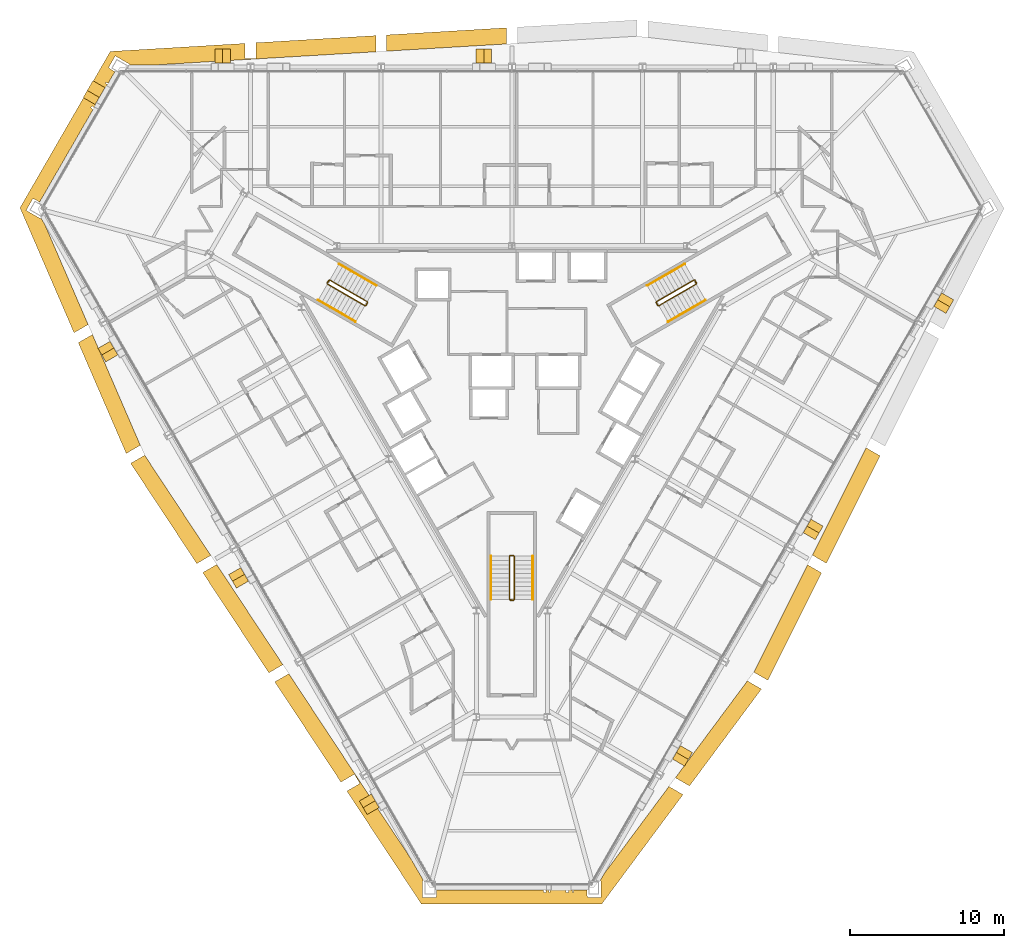
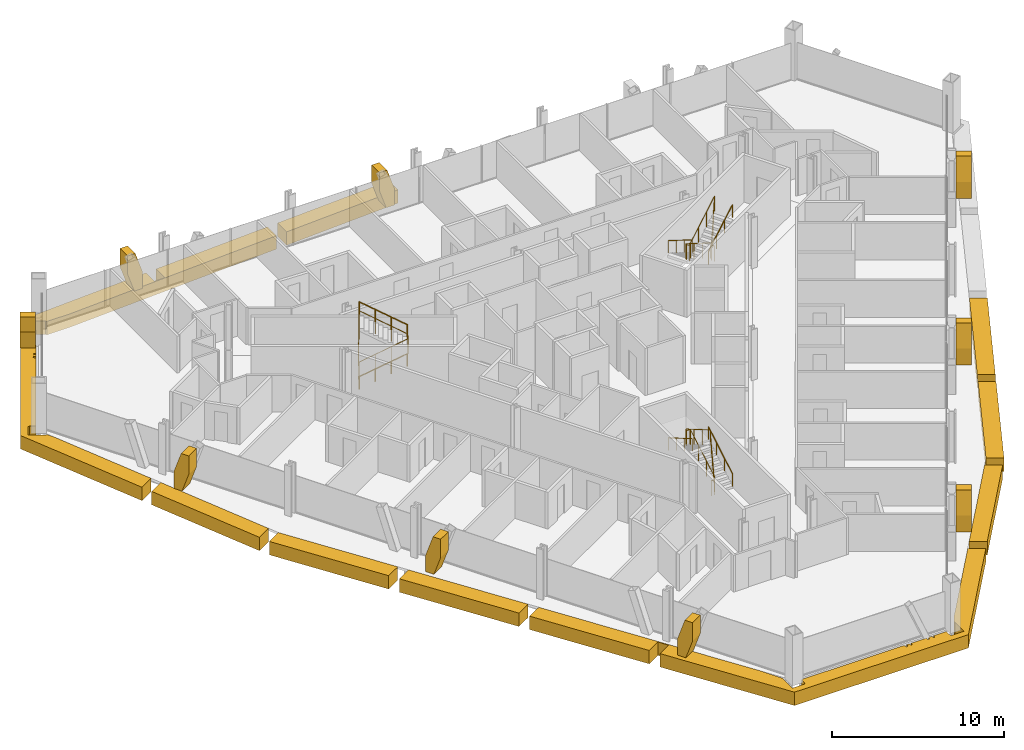
# One storey, part 16 of 17: 18 coverings, 9 railings.
"""IFC4 building model written with IfcOpenShell, lengths in metres."""

from ifc_helpers import new_model, si_unit, direction, frame, origin, origin_2d, place, context, subcontext, project, spatial, polyline, circle, outline, extrude, material, layer, layer_set, type_object, element, save


model = new_model("IFC4")

# Units and contexts
model_context = context("Model", 3, precision=1e-05, world=origin(), true_north=direction((0.0, 1.0)))
body_context = subcontext(model_context, "Body", "Model", "MODEL_VIEW")
ifc_project = project(units=[si_unit("LENGTHUNIT", "METRE"), si_unit("AREAUNIT", "SQUARE_METRE"), si_unit("VOLUMEUNIT", "CUBIC_METRE"), si_unit("PLANEANGLEUNIT", "RADIAN"), si_unit("MASSUNIT", "GRAM", prefix="KILO")], contexts=[model_context])

# Site, building, storey
site_placement = place(None, origin())
site = spatial("IfcSite", under=ifc_project, at=site_placement, CompositionType="ELEMENT")
building_placement = place(site_placement, origin())
building = spatial("IfcBuilding", under=site, at=building_placement, Name="Verrane Prism Tower", CompositionType="ELEMENT")
storey_placement = place(building_placement, frame((0.0, 0.0, 40.39990234375)))
storey = spatial("IfcBuildingStorey", under=building, at=storey_placement, Name="L07", CompositionType="ELEMENT", Elevation=40.39990234375)

# Railings
ifc_material_1 = material(Name="Steel A36 rail and posts, no infill", Category="steel")
railing_type_1 = type_object("IfcRailingType", Name="Stair guard 1100 steel rail and posts", PredefinedType="GUARDRAIL", material=ifc_material_1)
railing_1_placement = place(storey_placement, frame((11.78955078125, 6.97998046875, 0.163818359375)))
element("IfcRailing", 1, at=railing_1_placement, inside=storey, type_object=railing_type_1, Name="Stair 1 guard", PredefinedType="GUARDRAIL", context=body_context, shape_type="SweptSolid", body=[
    extrude(circle(Radius=0.02392578125, at=origin_2d()), frame((0.0, 0.0, 1.076171875), z_axis=(-0.747693913401, -0.431738279637, 0.504535300807), x_axis=(0.500049511043, -0.865996816683, 0.0)), (0.0, 0.0, 1.0), 3.2431640625),
    extrude(circle(Radius=0.02392578125, at=origin_2d()), frame((-2.4248046875, -1.400146484375, 2.71240234375), z_axis=(-0.259601060869, -0.965715946433, 0.0), x_axis=(0.965715946433, -0.259601060869, 0.0)), (0.0, 0.0, 1.0), 0.070556640625),
    extrude(circle(Radius=0.02392578125, at=origin_2d()), frame((-2.443115234375, -1.46826171875, 2.71240234375), z_axis=(0.499158860599, -0.866510491504, 0.0), x_axis=(0.866510491504, 0.499158860599, 0.0)), (0.0, 0.0, 1.0), 0.199951171875),
    extrude(circle(Radius=0.02392578125, at=origin_2d()), frame((-2.34326171875, -1.6416015625, 2.71240234375), z_axis=(0.383552647116, -0.102737316192, 0.917786691313), x_axis=(0.258736085224, 0.965948051503, 0.0)), (0.0, 0.0, 1.0), 0.17822265625),
    extrude(circle(Radius=0.02392578125, at=origin_2d()), frame((-2.27490234375, -1.659912109375, 2.8759765625), z_axis=(0.747665513933, 0.431721881032, 0.504591415616), x_axis=(-0.500049511043, 0.865996816683, 0.0)), (0.0, 0.0, 1.0), 3.2431640625),
    extrude(circle(Radius=0.02392578125, at=origin_2d()), frame((0.14990234375, -0.259765625, 4.51220703125), z_axis=(-0.022593669287, 0.066901613547, -0.997503734436), x_axis=(-0.947430582667, -0.3199613899, 0.0)), (0.0, 0.0, 1.0), 3.609130859375),
    extrude(circle(Radius=0.02392578125, at=origin_2d()), frame((0.068359375, -0.018310546875, 0.912109375), z_axis=(0.499158860599, -0.866510491504, 0.0), x_axis=(0.866510491504, 0.499158860599, 0.0)), (0.0, 0.0, 1.0), 0.199951171875),
    extrude(circle(Radius=0.02099609375, at=origin_2d()), origin(), (0.0, 0.0, 1.0), 1.052001953125),
    extrude(circle(Radius=0.02099609375, at=origin_2d()), frame((-0.808349609375, -0.466796875, 0.54541015625)), (0.0, 0.0, 1.0), 1.052001953125),
    extrude(circle(Radius=0.02099609375, at=origin_2d()), frame((-1.616455078125, -0.933349609375, 1.0908203125)), (0.0, 0.0, 1.0), 1.052001953125),
    extrude(circle(Radius=0.02099609375, at=origin_2d()), frame((-2.4248046875, -1.400146484375, 1.63623046875)), (0.0, 0.0, 1.0), 1.052001953125),
    extrude(circle(Radius=0.02099609375, at=origin_2d()), frame((-2.443115234375, -1.46826171875, 1.63623046875)), (0.0, 0.0, 1.0), 1.052001953125),
    extrude(circle(Radius=0.02099609375, at=origin_2d()), frame((-2.34326171875, -1.6416015625, 1.63623046875)), (0.0, 0.0, 1.0), 1.052001953125),
    extrude(circle(Radius=0.02099609375, at=origin_2d()), frame((-2.27490234375, -1.659912109375, 1.7998046875)), (0.0, 0.0, 1.0), 1.052001953125),
    extrude(circle(Radius=0.02099609375, at=origin_2d()), frame((-1.466552734375, -1.193115234375, 2.34521484375)), (0.0, 0.0, 1.0), 1.052001953125),
    extrude(circle(Radius=0.02099609375, at=origin_2d()), frame((-0.658447265625, -0.7265625, 2.890869140625)), (0.0, 0.0, 1.0), 1.052001953125),
    extrude(circle(Radius=0.02099609375, at=origin_2d()), frame((0.14990234375, -0.259765625, 3.436279296875)), (0.0, 0.0, 1.0), 1.052001953125),
    extrude(circle(Radius=0.02099609375, at=origin_2d()), frame((0.12939453125, -0.199462890625, 2.5361328125)), (0.0, 0.0, 1.0), 1.052001953125),
    extrude(circle(Radius=0.02099609375, at=origin_2d()), frame((0.109130859375, -0.13916015625, 1.63623046875)), (0.0, 0.0, 1.0), 1.052001953125),
    extrude(circle(Radius=0.02099609375, at=origin_2d()), frame((0.0888671875, -0.07861328125, 0.736328125)), (0.0, 0.0, 1.0), 1.052001953125),
    extrude(circle(Radius=0.02099609375, at=origin_2d()), frame((0.068359375, -0.018310546875, -0.163818359375)), (0.0, 0.0, 1.0), 1.052001953125),
    extrude(circle(Radius=0.02099609375, at=origin_2d()), frame((0.168212890625, -0.191650390625, -0.163818359375)), (0.0, 0.0, 1.0), 1.052001953125),
])
railing_2_placement = place(storey_placement, frame((-11.939453125, 6.72021484375, 0.163818359375)))
element("IfcRailing", 2, at=railing_2_placement, inside=storey, type_object=railing_type_1, Name="Stair 2 guard", PredefinedType="GUARDRAIL", context=body_context, shape_type="SweptSolid", body=[
    extrude(circle(Radius=0.02392578125, at=origin_2d()), frame((0.0, 0.0, 1.076171875), z_axis=(0.747693913401, -0.431738279637, 0.504535300807), x_axis=(0.500049511043, 0.865996816683, 0.0)), (0.0, 0.0, 1.0), 3.2431640625),
    extrude(circle(Radius=0.02392578125, at=origin_2d()), frame((2.4248046875, -1.400146484375, 2.71240234375), z_axis=(0.965948051503, 0.258736085224, 0.0), x_axis=(-0.258736085224, 0.965948051503, 0.0)), (0.0, 0.0, 1.0), 0.07080078125),
    extrude(circle(Radius=0.02392578125, at=origin_2d()), frame((2.4931640625, -1.3818359375, 2.71240234375), z_axis=(0.499158860599, 0.866510491504, 0.0), x_axis=(-0.866510491504, 0.499158860599, 0.0)), (0.0, 0.0, 1.0), 0.199951171875),
    extrude(circle(Radius=0.02392578125, at=origin_2d()), frame((2.593017578125, -1.20849609375, 2.71240234375), z_axis=(-0.102791240646, 0.382383415203, 0.918268416436), x_axis=(-0.965715946433, -0.259601060869, 0.0)), (0.0, 0.0, 1.0), 0.17822265625),
    extrude(circle(Radius=0.02392578125, at=origin_2d()), frame((2.57470703125, -1.140380859375, 2.8759765625), z_axis=(-0.747665513933, 0.431721881032, 0.504591415616), x_axis=(-0.500049511043, -0.865996816683, 0.0)), (0.0, 0.0, 1.0), 3.2431640625),
    extrude(circle(Radius=0.02392578125, at=origin_2d()), frame((0.14990234375, 0.259765625, 4.51220703125), z_axis=(-0.046607763296, -0.053101733218, -0.99750083826), x_axis=(0.751567565678, -0.659656118156, 0.0)), (0.0, 0.0, 1.0), 3.609130859375),
    extrude(circle(Radius=0.02392578125, at=origin_2d()), frame((-0.018310546875, 0.068115234375, 0.912109375), z_axis=(0.499158860599, 0.866510491504, 0.0), x_axis=(-0.866510491504, 0.499158860599, 0.0)), (0.0, 0.0, 1.0), 0.199951171875),
    extrude(circle(Radius=0.02099609375, at=origin_2d()), origin(), (0.0, 0.0, 1.0), 1.052001953125),
    extrude(circle(Radius=0.02099609375, at=origin_2d()), frame((0.808349609375, -0.466796875, 0.54541015625)), (0.0, 0.0, 1.0), 1.052001953125),
    extrude(circle(Radius=0.02099609375, at=origin_2d()), frame((1.616455078125, -0.933349609375, 1.0908203125)), (0.0, 0.0, 1.0), 1.052001953125),
    extrude(circle(Radius=0.02099609375, at=origin_2d()), frame((2.4248046875, -1.400146484375, 1.63623046875)), (0.0, 0.0, 1.0), 1.052001953125),
    extrude(circle(Radius=0.02099609375, at=origin_2d()), frame((2.4931640625, -1.3818359375, 1.63623046875)), (0.0, 0.0, 1.0), 1.052001953125),
    extrude(circle(Radius=0.02099609375, at=origin_2d()), frame((2.593017578125, -1.20849609375, 1.63623046875)), (0.0, 0.0, 1.0), 1.052001953125),
    extrude(circle(Radius=0.02099609375, at=origin_2d()), frame((2.57470703125, -1.140380859375, 1.7998046875)), (0.0, 0.0, 1.0), 1.052001953125),
    extrude(circle(Radius=0.02099609375, at=origin_2d()), frame((1.766357421875, -0.673583984375, 2.34521484375)), (0.0, 0.0, 1.0), 1.052001953125),
    extrude(circle(Radius=0.02099609375, at=origin_2d()), frame((0.958251953125, -0.20703125, 2.890869140625)), (0.0, 0.0, 1.0), 1.052001953125),
    extrude(circle(Radius=0.02099609375, at=origin_2d()), frame((0.14990234375, 0.259765625, 3.436279296875)), (0.0, 0.0, 1.0), 1.052001953125),
    extrude(circle(Radius=0.02099609375, at=origin_2d()), frame((0.10791015625, 0.2119140625, 2.5361328125)), (0.0, 0.0, 1.0), 1.052001953125),
    extrude(circle(Radius=0.02099609375, at=origin_2d()), frame((0.06591796875, 0.1640625, 1.63623046875)), (0.0, 0.0, 1.0), 1.052001953125),
    extrude(circle(Radius=0.02099609375, at=origin_2d()), frame((0.023681640625, 0.115966796875, 0.736328125)), (0.0, 0.0, 1.0), 1.052001953125),
    extrude(circle(Radius=0.02099609375, at=origin_2d()), frame((-0.018310546875, 0.068115234375, -0.163818359375)), (0.0, 0.0, 1.0), 1.052001953125),
    extrude(circle(Radius=0.02099609375, at=origin_2d()), frame((0.08154296875, 0.241455078125, -0.163818359375)), (0.0, 0.0, 1.0), 1.052001953125),
])
railing_3_placement = place(storey_placement, frame((0.14990234375, -13.699951171875, 0.163818359375)))
element("IfcRailing", 3, at=railing_3_placement, inside=storey, type_object=railing_type_1, Name="Stair 3 guard", PredefinedType="GUARDRAIL", context=body_context, shape_type="SweptSolid", body=[
    extrude(circle(Radius=0.02392578125, at=origin_2d()), frame((0.0, 0.0, 1.076171875), z_axis=(0.0, 0.863393664356, 0.504530851732), x_axis=(-1.0, 0.0, 0.0)), (0.0, 0.0, 1.0), 3.2431640625),
    extrude(circle(Radius=0.02392578125, at=origin_2d()), frame((0.0, 2.800048828125, 2.71240234375), z_axis=(-0.707106781187, 0.707106781187, 0.0), x_axis=(-0.707106781187, -0.707106781187, 0.0)), (0.0, 0.0, 1.0), 0.0703125),
    extrude(circle(Radius=0.02392578125, at=origin_2d()), frame((-0.0498046875, 2.849853515625, 2.71240234375), z_axis=(-1.0, 0.0, 0.0), x_axis=(0.0, -1.0, 0.0)), (0.0, 0.0, 1.0), 0.2001953125),
    extrude(circle(Radius=0.02392578125, at=origin_2d()), frame((-0.25, 2.849853515625, 2.71240234375), z_axis=(-0.279653641804, -0.279653641804, 0.918470294159), x_axis=(0.707106781187, -0.707106781187, 0.0)), (0.0, 0.0, 1.0), 0.177978515625),
    extrude(circle(Radius=0.02392578125, at=origin_2d()), frame((-0.2998046875, 2.800048828125, 2.8759765625), z_axis=(0.0, -0.863360870873, 0.504586966384), x_axis=(1.0, 0.0, 0.0)), (0.0, 0.0, 1.0), 3.2431640625),
    extrude(circle(Radius=0.02392578125, at=origin_2d()), frame((-0.2998046875, 0.0, 4.51220703125), z_axis=(0.069269067181, -0.013867342551, -0.997501625634), x_axis=(0.196300278283, 0.98054382908, 0.0)), (0.0, 0.0, 1.0), 3.609130859375),
    extrude(circle(Radius=0.02392578125, at=origin_2d()), frame((-0.0498046875, -0.050048828125, 0.912109375), z_axis=(-1.0, 0.0, 0.0), x_axis=(0.0, -1.0, 0.0)), (0.0, 0.0, 1.0), 0.2001953125),
    extrude(circle(Radius=0.02099609375, at=origin_2d()), origin(), (0.0, 0.0, 1.0), 1.052001953125),
    extrude(circle(Radius=0.02099609375, at=origin_2d()), frame((0.0, 0.933349609375, 0.54541015625)), (0.0, 0.0, 1.0), 1.052001953125),
    extrude(circle(Radius=0.02099609375, at=origin_2d()), frame((0.0, 1.86669921875, 1.0908203125)), (0.0, 0.0, 1.0), 1.052001953125),
    extrude(circle(Radius=0.02099609375, at=origin_2d()), frame((0.0, 2.800048828125, 1.63623046875)), (0.0, 0.0, 1.0), 1.052001953125),
    extrude(circle(Radius=0.02099609375, at=origin_2d()), frame((-0.0498046875, 2.849853515625, 1.63623046875)), (0.0, 0.0, 1.0), 1.052001953125),
    extrude(circle(Radius=0.02099609375, at=origin_2d()), frame((-0.25, 2.849853515625, 1.63623046875)), (0.0, 0.0, 1.0), 1.052001953125),
    extrude(circle(Radius=0.02099609375, at=origin_2d()), frame((-0.2998046875, 2.800048828125, 1.7998046875)), (0.0, 0.0, 1.0), 1.052001953125),
    extrude(circle(Radius=0.02099609375, at=origin_2d()), frame((-0.2998046875, 1.86669921875, 2.34521484375)), (0.0, 0.0, 1.0), 1.052001953125),
    extrude(circle(Radius=0.02099609375, at=origin_2d()), frame((-0.2998046875, 0.933349609375, 2.890869140625)), (0.0, 0.0, 1.0), 1.052001953125),
    extrude(circle(Radius=0.02099609375, at=origin_2d()), frame((-0.2998046875, 0.0, 3.436279296875)), (0.0, 0.0, 1.0), 1.052001953125),
    extrude(circle(Radius=0.02099609375, at=origin_2d()), frame((-0.2373046875, -0.012451171875, 2.5361328125)), (0.0, 0.0, 1.0), 1.052001953125),
    extrude(circle(Radius=0.02099609375, at=origin_2d()), frame((-0.1748046875, -0.02490234375, 1.63623046875)), (0.0, 0.0, 1.0), 1.052001953125),
    extrude(circle(Radius=0.02099609375, at=origin_2d()), frame((-0.1123046875, -0.03759765625, 0.736328125)), (0.0, 0.0, 1.0), 1.052001953125),
    extrude(circle(Radius=0.02099609375, at=origin_2d()), frame((-0.0498046875, -0.050048828125, -0.163818359375)), (0.0, 0.0, 1.0), 1.052001953125),
    extrude(circle(Radius=0.02099609375, at=origin_2d()), frame((-0.25, -0.050048828125, -0.163818359375)), (0.0, 0.0, 1.0), 1.052001953125),
])
ifc_material_2 = material(Name="Steel A36 tube", Category="steel")
railing_type_2 = type_object("IfcRailingType", Name="Stair handrail 900 steel tube", PredefinedType="HANDRAIL", material=ifc_material_2)
railing_4_placement = place(storey_placement, frame((11.189453125, 8.01904296875, 0.163818359375)))
element("IfcRailing", 4, at=railing_4_placement, inside=storey, type_object=railing_type_2, Name="Stair 1 handrail", PredefinedType="HANDRAIL", context=body_context, shape_type="SweptSolid", body=[
    extrude(circle(Radius=0.02392578125, at=origin_2d()), frame((0.0, 0.0, 0.8759765625), z_axis=(-0.74771821388, -0.431677027627, 0.504551698492), x_axis=(0.49998411664, -0.866034573852, 0.0)), (0.0, 0.0, 1.0), 3.242919921875),
    extrude(circle(Radius=0.02099609375, at=origin_2d()), origin(), (0.0, 0.0, 1.0), 0.851806640625),
    extrude(circle(Radius=0.02099609375, at=origin_2d()), frame((-0.808349609375, -0.466552734375, 0.54541015625)), (0.0, 0.0, 1.0), 0.851806640625),
    extrude(circle(Radius=0.02099609375, at=origin_2d()), frame((-1.616455078125, -0.933349609375, 1.0908203125)), (0.0, 0.0, 1.0), 0.851806640625),
    extrude(circle(Radius=0.02099609375, at=origin_2d()), frame((-2.4248046875, -1.39990234375, 1.63623046875)), (0.0, 0.0, 1.0), 0.851806640625),
])
railing_5_placement = place(storey_placement, frame((10.11474609375, 4.28076171875, 1.963623046875)))
element("IfcRailing", 5, at=railing_5_placement, inside=storey, type_object=railing_type_2, Name="Stair 1 handrail", PredefinedType="HANDRAIL", context=body_context, shape_type="SweptSolid", body=[
    extrude(circle(Radius=0.02392578125, at=origin_2d()), frame((0.0, 0.0, 0.8759765625), z_axis=(0.747665513933, 0.431721881032, 0.504591415616), x_axis=(-0.500049511043, 0.865996816683, 0.0)), (0.0, 0.0, 1.0), 3.2431640625),
    extrude(circle(Radius=0.02099609375, at=origin_2d()), origin(), (0.0, 0.0, 1.0), 0.851806640625),
    extrude(circle(Radius=0.02099609375, at=origin_2d()), frame((0.808349609375, 0.466796875, 0.54541015625)), (0.0, 0.0, 1.0), 0.851806640625),
    extrude(circle(Radius=0.02099609375, at=origin_2d()), frame((1.616455078125, 0.933349609375, 1.091064453125)), (0.0, 0.0, 1.0), 0.851806640625),
    extrude(circle(Radius=0.02099609375, at=origin_2d()), frame((2.4248046875, 1.400146484375, 1.636474609375)), (0.0, 0.0, 1.0), 0.851806640625),
])
railing_6_placement = place(storey_placement, frame((-12.53955078125, 5.680908203125, 0.163818359375)))
element("IfcRailing", 6, at=railing_6_placement, inside=storey, type_object=railing_type_2, Name="Stair 2 handrail", PredefinedType="HANDRAIL", context=body_context, shape_type="SweptSolid", body=[
    extrude(circle(Radius=0.02392578125, at=origin_2d()), frame((0.0, 0.0, 0.8759765625), z_axis=(0.747693913401, -0.431738279637, 0.504535300807), x_axis=(0.500049511043, 0.865996816683, 0.0)), (0.0, 0.0, 1.0), 3.2431640625),
    extrude(circle(Radius=0.02099609375, at=origin_2d()), origin(), (0.0, 0.0, 1.0), 0.851806640625),
    extrude(circle(Radius=0.02099609375, at=origin_2d()), frame((0.808349609375, -0.466796875, 0.54541015625)), (0.0, 0.0, 1.0), 0.851806640625),
    extrude(circle(Radius=0.02099609375, at=origin_2d()), frame((1.616455078125, -0.933349609375, 1.0908203125)), (0.0, 0.0, 1.0), 0.851806640625),
    extrude(circle(Radius=0.02099609375, at=origin_2d()), frame((2.4248046875, -1.400146484375, 1.63623046875)), (0.0, 0.0, 1.0), 0.851806640625),
])
railing_7_placement = place(storey_placement, frame((-8.7646484375, 6.619140625, 1.963623046875)))
element("IfcRailing", 7, at=railing_7_placement, inside=storey, type_object=railing_type_2, Name="Stair 2 handrail", PredefinedType="HANDRAIL", context=body_context, shape_type="SweptSolid", body=[
    extrude(circle(Radius=0.02392578125, at=origin_2d()), frame((0.0, 0.0, 0.8759765625), z_axis=(-0.747689811644, 0.431660630283, 0.504607813879), x_axis=(-0.49998411664, -0.866034573852, 0.0)), (0.0, 0.0, 1.0), 3.2431640625),
    extrude(circle(Radius=0.02099609375, at=origin_2d()), origin(), (0.0, 0.0, 1.0), 0.851806640625),
    extrude(circle(Radius=0.02099609375, at=origin_2d()), frame((-0.808349609375, 0.466552734375, 0.54541015625)), (0.0, 0.0, 1.0), 0.851806640625),
    extrude(circle(Radius=0.02099609375, at=origin_2d()), frame((-1.616455078125, 0.933349609375, 1.091064453125)), (0.0, 0.0, 1.0), 0.851806640625),
    extrude(circle(Radius=0.02099609375, at=origin_2d()), frame((-2.4248046875, 1.39990234375, 1.636474609375)), (0.0, 0.0, 1.0), 0.851806640625),
])
railing_8_placement = place(storey_placement, frame((1.35009765625, -13.699951171875, 0.163818359375)))
element("IfcRailing", 8, at=railing_8_placement, inside=storey, type_object=railing_type_2, Name="Stair 3 handrail", PredefinedType="HANDRAIL", context=body_context, shape_type="SweptSolid", body=[
    extrude(circle(Radius=0.02392578125, at=origin_2d()), frame((0.0, 0.0, 0.8759765625), z_axis=(0.0, 0.863393664356, 0.504530851732), x_axis=(-1.0, 0.0, 0.0)), (0.0, 0.0, 1.0), 3.2431640625),
    extrude(circle(Radius=0.02099609375, at=origin_2d()), origin(), (0.0, 0.0, 1.0), 0.851806640625),
    extrude(circle(Radius=0.02099609375, at=origin_2d()), frame((0.0, 0.933349609375, 0.54541015625)), (0.0, 0.0, 1.0), 0.851806640625),
    extrude(circle(Radius=0.02099609375, at=origin_2d()), frame((0.0, 1.86669921875, 1.0908203125)), (0.0, 0.0, 1.0), 0.851806640625),
    extrude(circle(Radius=0.02099609375, at=origin_2d()), frame((0.0, 2.800048828125, 1.63623046875)), (0.0, 0.0, 1.0), 0.851806640625),
])
railing_9_placement = place(storey_placement, frame((-1.35009765625, -10.89990234375, 1.963623046875)))
element("IfcRailing", 9, at=railing_9_placement, inside=storey, type_object=railing_type_2, Name="Stair 3 handrail", PredefinedType="HANDRAIL", context=body_context, shape_type="SweptSolid", body=[
    extrude(circle(Radius=0.02392578125, at=origin_2d()), frame((0.0, 0.0, 0.8759765625), z_axis=(0.0, -0.863360870873, 0.504586966384), x_axis=(1.0, 0.0, 0.0)), (0.0, 0.0, 1.0), 3.2431640625),
    extrude(circle(Radius=0.02099609375, at=origin_2d()), origin(), (0.0, 0.0, 1.0), 0.851806640625),
    extrude(circle(Radius=0.02099609375, at=origin_2d()), frame((0.0, -0.933349609375, 0.54541015625)), (0.0, 0.0, 1.0), 0.851806640625),
    extrude(circle(Radius=0.02099609375, at=origin_2d()), frame((0.0, -1.86669921875, 1.091064453125)), (0.0, 0.0, 1.0), 0.851806640625),
    extrude(circle(Radius=0.02099609375, at=origin_2d()), frame((0.0, -2.800048828125, 1.636474609375)), (0.0, 0.0, 1.0), 0.851806640625),
])

# Coverings
ifc_material_3 = material(Name="Warm limestone cladding", Category="masonry")
ifc_layer_1 = layer(ifc_material_3, 0.89990234375)
ifc_layer_set_1 = layer_set([ifc_layer_1], Name="Stone brace fin 900")
covering_type_1 = type_object("IfcCoveringType", Name="Stone brace fin 900", PredefinedType="CLADDING", material=ifc_layer_set_1)
covering_1_placement = place(storey_placement, frame((-1.307861328125, 21.47412109375, 0.0), z_axis=(0.0, 0.0, 1.0), x_axis=(-1.0, 0.0, 0.0)))
element("IfcCovering", 10, at=covering_1_placement, inside=storey, type_object=covering_type_1, Name="Stone brace fin N4 L07", PredefinedType="CLADDING", context=body_context, shape_type="SweptSolid", body=[
    extrude(outline(polyline([(1.010009765625, 2.650146484375), (0.496337890625, 2.650146484375), (0.0, 1.17138671875), (0.0, 0.0), (0.55615234375, 0.0), (1.010009765625, 1.351806640625), (1.010009765625, 2.650146484375)])), frame((0.0, 0.449951171875, 0.0), z_axis=(0.0, -1.0, 0.0), x_axis=(1.0, 0.0, 0.0)), (0.0, 0.0, 1.0), 0.89990234375),
])
covering_2_placement = place(storey_placement, frame((-18.226318359375, 21.47412109375, 0.0), z_axis=(0.0, 0.0, 1.0), x_axis=(-1.0, 0.0, 0.0)))
element("IfcCovering", 11, at=covering_2_placement, inside=storey, type_object=covering_type_1, Name="Stone brace fin N6 L07", PredefinedType="CLADDING", context=body_context, shape_type="SweptSolid", body=[
    extrude(outline(polyline([(1.0087890625, 2.650146484375), (0.495361328125, 2.650146484375), (0.0, 1.173095703125), (0.0, 0.0), (0.555908203125, 0.0), (1.0087890625, 1.35009765625), (1.0087890625, 2.650146484375)])), frame((0.0, 0.449951171875, 0.0), z_axis=(0.0, -1.0, 0.0), x_axis=(1.0, 0.0, 0.0)), (0.0, 0.0, 1.0), 0.89990234375),
])
for number, where, z_axis, x_axis, name in (
    (12, (-26.40576171875, 2.784912109375, 0.0), (0.0, 0.0, 1.0), (0.499778243608, -0.866153397047, 0.0), "Stone brace fin SW2 L07"),
    (13, (-17.94580078125, -11.864990234375, 0.0), (0.0, 0.0, 1.0), (0.499778243608, -0.866153397047, 0.0), "Stone brace fin SW4 L07"),
):
    element("IfcCovering", number, at=place(storey_placement, frame(where, z_axis=z_axis, x_axis=x_axis)), inside=storey, type_object=covering_type_1, Name=name, PredefinedType="CLADDING", context=body_context, shape_type="SweptSolid", body=[
        extrude(outline(polyline([(1.01025390625, 2.650146484375), (0.49658203125, 2.650146484375), (0.0, 1.1708984375), (0.0, 0.0), (0.55615234375, 0.0), (1.01025390625, 1.352294921875), (1.01025390625, 2.650146484375)])), frame((0.0, 0.449951171875, 0.0), z_axis=(0.0, -1.0, 0.0), x_axis=(1.0, 0.0, 0.0)), (0.0, 0.0, 1.0), 0.89990234375),
    ])
covering_3_placement = place(storey_placement, frame((-9.485595703125, -26.52392578125, 0.0), z_axis=(0.0, 0.0, 1.0), x_axis=(0.500301781265, -0.865851100168, 0.0)))
element("IfcCovering", 14, at=covering_3_placement, inside=storey, type_object=covering_type_1, Name="Stone brace fin SW6 L07", PredefinedType="CLADDING", context=body_context, shape_type="SweptSolid", body=[
    extrude(outline(polyline([(1.00927734375, 2.650146484375), (0.495849609375, 2.650146484375), (0.0, 1.17236328125), (0.0, 0.0), (0.555908203125, 0.0), (1.00927734375, 1.350830078125), (1.00927734375, 2.650146484375)])), frame((0.0, 0.449951171875, 0.0), z_axis=(0.0, -1.0, 0.0), x_axis=(1.0, 0.0, 0.0)), (0.0, 0.0, 1.0), 0.89990234375),
])
covering_4_placement = place(storey_placement, frame((10.793701171875, -24.2587890625, 0.0), z_axis=(0.0, 0.0, 1.0), x_axis=(0.499778243608, 0.866153397047, 0.0)))
element("IfcCovering", 15, at=covering_4_placement, inside=storey, type_object=covering_type_1, Name="Stone brace fin SE2 L07", PredefinedType="CLADDING", context=body_context, shape_type="SweptSolid", body=[
    extrude(outline(polyline([(1.01025390625, 2.650146484375), (0.49658203125, 2.650146484375), (0.0, 1.1708984375), (0.0, 0.0), (0.55615234375, 0.0), (1.01025390625, 1.352294921875), (1.01025390625, 2.650146484375)])), frame((0.0, 0.449951171875, 0.0), z_axis=(0.0, -1.0, 0.0), x_axis=(1.0, 0.0, 0.0)), (0.0, 0.0, 1.0), 0.89990234375),
])
covering_5_placement = place(storey_placement, frame((19.253662109375, -9.6005859375, 0.0), z_axis=(0.0, 0.0, 1.0), x_axis=(0.500301781265, 0.865851100168, 0.0)))
element("IfcCovering", 16, at=covering_5_placement, inside=storey, type_object=covering_type_1, Name="Stone brace fin SE4 L07", PredefinedType="CLADDING", context=body_context, shape_type="SweptSolid", body=[
    extrude(outline(polyline([(1.00927734375, 2.650146484375), (0.495849609375, 2.650146484375), (0.0, 1.17236328125), (0.0, 0.0), (0.555908203125, 0.0), (1.00927734375, 1.350830078125), (1.00927734375, 2.650146484375)])), frame((0.0, 0.449951171875, 0.0), z_axis=(0.0, -1.0, 0.0), x_axis=(1.0, 0.0, 0.0)), (0.0, 0.0, 1.0), 0.89990234375),
])
covering_6_placement = place(storey_placement, frame((27.71240234375, 5.050048828125, 0.0), z_axis=(0.0, 0.0, 1.0), x_axis=(0.49939410269, 0.866374936271, 0.0)))
element("IfcCovering", 17, at=covering_6_placement, inside=storey, type_object=covering_type_1, Name="Stone brace fin SE6 L07", PredefinedType="CLADDING", context=body_context, shape_type="SweptSolid", body=[
    extrude(outline(polyline([(1.008544921875, 2.650146484375), (0.495361328125, 2.650146484375), (0.0, 1.173095703125), (0.0, 0.0), (0.555908203125, 0.0), (1.008544921875, 1.35009765625), (1.008544921875, 2.650146484375)])), frame((0.0, 0.449951171875, 0.0), z_axis=(0.0, -1.0, 0.0), x_axis=(1.0, 0.0, 0.0)), (0.0, 0.0, 1.0), 0.89990234375),
])
covering_7_placement = place(storey_placement, frame((-26.733642578125, 19.663818359375, 0.0), z_axis=(0.0, 0.0, 1.0), x_axis=(-0.49998455448, -0.866034321076, 0.0)))
element("IfcCovering", 18, at=covering_7_placement, inside=storey, type_object=covering_type_1, Name="Stone brace fin NW1 L07", PredefinedType="CLADDING", context=body_context, shape_type="SweptSolid", body=[
    extrude(outline(polyline([(1.26318359375, 2.650146484375), (0.7294921875, 2.650146484375), (0.0, 0.91552734375), (0.0, 0.0), (0.59130859375, 0.0), (1.26318359375, 1.597412109375), (1.26318359375, 2.650146484375)])), frame((0.0, 0.449951171875, 0.0), z_axis=(0.0, -1.0, 0.0), x_axis=(1.0, 0.0, 0.0)), (0.0, 0.0, 1.0), 0.89990234375),
])
ifc_material_4 = material(Name="Warm limestone cladding", Category="masonry")
ifc_layer_2 = layer(ifc_material_4, 0.449951171875)
ifc_layer_set_2 = layer_set([ifc_layer_2], Name="Stone spandrel band 450")
covering_type_2 = type_object("IfcCoveringType", Name="Stone spandrel band 450", PredefinedType="CLADDING", material=ifc_layer_set_2)
covering_8_placement = place(storey_placement, frame((0.0, 0.0, -0.949951171875)))
element("IfcCovering", 19, at=covering_8_placement, inside=storey, type_object=covering_type_2, Name="Stone spandrel band L07 part 1", PredefinedType="CLADDING", context=body_context, shape_type="SweptSolid", body=[
    extrude(outline(polyline([(5.826171875, -33.406494140625), (11.080322265625, -26.334716796875), (10.16796875, -25.80810546875), (5.99072265625, -31.430419921875), (5.737060546875, -31.86962890625), (5.771728515625, -31.947509765625), (5.771728515625, -32.983642578125), (4.922119140625, -32.983642578125), (4.871826171875, -32.87060546875), (4.871826171875, -32.493408203125), (3.998779296875, -32.493408203125), (3.998779296875, -32.659912109375), (3.911376953125, -32.659912109375), (3.911376953125, -32.493408203125), (3.66015625, -32.493408203125), (3.66015625, -32.659912109375), (3.514892578125, -32.659912109375), (3.514892578125, -32.493408203125), (2.484619140625, -32.493408203125), (2.484619140625, -32.659912109375), (2.39697265625, -32.659912109375), (2.39697265625, -32.493408203125), (2.18017578125, -32.493408203125), (2.21826171875, -32.651611328125), (2.075439453125, -32.68603515625), (2.029052734375, -32.493408203125), (-4.871826171875, -32.493408203125), (-4.871826171875, -32.87060546875), (-4.922119140625, -32.983642578125), (-5.771728515625, -32.983642578125), (-5.771728515625, -31.947509765625), (-5.737060546875, -31.86962890625), (-6.531982421875, -30.49267578125), (-14.43994140625, -18.5078125), (-15.34765625, -19.031982421875), (-11.0673828125, -25.51904296875), (-10.188720703125, -25.01171875), (-9.838623046875, -25.617919921875), (-10.68115234375, -26.1044921875), (-5.86328125, -33.406494140625), (5.826171875, -33.406494140625)])), origin(), (0.0, 0.0, 1.0), 0.949951171875),
])
covering_9_placement = place(storey_placement, frame((0.0, 0.0, -0.949951171875)))
element("IfcCovering", 20, at=covering_9_placement, inside=storey, type_object=covering_type_2, Name="Stone spandrel band L07 part 3", PredefinedType="CLADDING", context=body_context, shape_type="SweptSolid", body=[
    extrude(outline(polyline([(-27.4345703125, 4.098388671875), (-30.21484375, 10.527099609375), (-30.46875, 10.966552734375), (-30.550537109375, 10.974853515625), (-31.4482421875, 11.492919921875), (-31.0234375, 12.228515625), (-30.898193359375, 12.216064453125), (-30.574951171875, 12.029541015625), (-27.1240234375, 18.006591796875), (-27.2646484375, 18.14111328125), (-27.162841796875, 18.24755859375), (-27.04833984375, 18.137939453125), (-26.9404296875, 18.32470703125), (-27.081298828125, 18.406005859375), (-27.03759765625, 18.481689453125), (-26.896728515625, 18.400390625), (-26.381591796875, 19.29296875), (-26.522216796875, 19.374267578125), (-26.44970703125, 19.5), (-26.308837890625, 19.418701171875), (-26.183349609375, 19.635986328125), (-26.32421875, 19.71728515625), (-26.280517578125, 19.793212890625), (-26.1396484375, 19.7119140625), (-25.703125, 20.468017578125), (-26.026123046875, 20.654541015625), (-26.101318359375, 20.7548828125), (-25.676513671875, 21.49072265625), (-24.779296875, 20.97265625), (-24.72705078125, 20.9033203125), (-23.141357421875, 20.9033203125), (-8.80810546875, 21.75927734375), (-8.80810546875, 22.8076171875), (-16.56640625, 22.34423828125), (-16.56640625, 21.331298828125), (-17.2666015625, 21.331298828125), (-17.2666015625, 22.302490234375), (-25.999267578125, 21.781005859375), (-31.843994140625, 11.65771484375), (-28.3466796875, 3.571533203125), (-27.4345703125, 4.098388671875)])), origin(), (0.0, 0.0, 1.0), 0.949951171875),
])
covering_10_placement = place(storey_placement, frame((0.0, 0.0, -0.949951171875)))
element("IfcCovering", 21, at=covering_10_placement, inside=storey, type_object=covering_type_2, Name="Stone spandrel band L07 part 4", PredefinedType="CLADDING", context=body_context, shape_type="SweptSolid", body=[
    extrude(outline(polyline([(-24.966796875, -4.24365234375), (-24.054443359375, -3.717041015625), (-27.15478515625, 3.451416015625), (-28.06689453125, 2.9248046875), (-24.966796875, -4.24365234375)])), origin(), (0.0, 0.0, 1.0), 0.949951171875),
])
covering_11_placement = place(storey_placement, frame((0.0, 0.0, -0.949951171875)))
element("IfcCovering", 22, at=covering_11_placement, inside=storey, type_object=covering_type_2, Name="Stone spandrel band L07 part 5", PredefinedType="CLADDING", context=body_context, shape_type="SweptSolid", body=[
    extrude(outline(polyline([(15.24609375, -18.97314453125), (10.588134765625, -25.242431640625), (11.50048828125, -25.769287109375), (16.158447265625, -19.5), (15.24609375, -18.97314453125)])), origin(), (0.0, 0.0, 1.0), 0.949951171875),
])
covering_12_placement = place(storey_placement, frame((0.0, 0.0, -0.949951171875)))
element("IfcCovering", 23, at=covering_12_placement, inside=storey, type_object=covering_type_2, Name="Stone spandrel band L07 part 7", PredefinedType="CLADDING", context=body_context, shape_type="SweptSolid", body=[
    extrude(outline(polyline([(-19.49267578125, -10.849853515625), (-23.77294921875, -4.36279296875), (-24.6806640625, -4.886962890625), (-20.400390625, -11.3740234375), (-19.49267578125, -10.849853515625)])), origin(), (0.0, 0.0, 1.0), 0.949951171875),
])
covering_13_placement = place(storey_placement, frame((0.0, 0.0, -0.949951171875)))
element("IfcCovering", 24, at=covering_13_placement, inside=storey, type_object=covering_type_2, Name="Stone spandrel band L07 part 8", PredefinedType="CLADDING", context=body_context, shape_type="SweptSolid", body=[
    extrude(outline(polyline([(-14.826171875, -17.92236328125), (-19.1064453125, -11.435302734375), (-20.01416015625, -11.95947265625), (-15.73388671875, -18.446533203125), (-14.826171875, -17.92236328125)])), origin(), (0.0, 0.0, 1.0), 0.949951171875),
])
covering_14_placement = place(storey_placement, frame((0.0, 0.0, -0.949951171875)))
element("IfcCovering", 25, at=covering_14_placement, inside=storey, type_object=covering_type_2, Name="Stone spandrel band L07 part 9", PredefinedType="CLADDING", context=body_context, shape_type="SweptSolid", body=[
    extrude(outline(polyline([(20.05029296875, -11.980224609375), (19.142578125, -11.4560546875), (15.66455078125, -18.406494140625), (16.572509765625, -18.9306640625), (20.05029296875, -11.980224609375)])), origin(), (0.0, 0.0, 1.0), 0.949951171875),
])
covering_15_placement = place(storey_placement, frame((0.0, 0.0, -0.949951171875)))
element("IfcCovering", 26, at=covering_15_placement, inside=storey, type_object=covering_type_2, Name="Stone spandrel band L07 part 10", PredefinedType="CLADDING", context=body_context, shape_type="SweptSolid", body=[
    extrude(outline(polyline([(22.934326171875, -3.878662109375), (19.456298828125, -10.8291015625), (20.3642578125, -11.353271484375), (23.842041015625, -4.402587890625), (22.934326171875, -3.878662109375)])), origin(), (0.0, 0.0, 1.0), 0.949951171875),
])
covering_16_placement = place(storey_placement, frame((0.0, 0.0, -0.949951171875)))
element("IfcCovering", 27, at=covering_16_placement, inside=storey, type_object=covering_type_2, Name="Stone spandrel band L07 part 12", PredefinedType="CLADDING", context=body_context, shape_type="SweptSolid", body=[
    extrude(outline(polyline([(-8.108154296875, 22.849365234375), (-8.108154296875, 21.801025390625), (-0.35009765625, 22.264404296875), (-0.35009765625, 23.3125), (-8.108154296875, 22.849365234375)])), origin(), (0.0, 0.0, 1.0), 0.949951171875),
])

save(model, "model.ifc")
